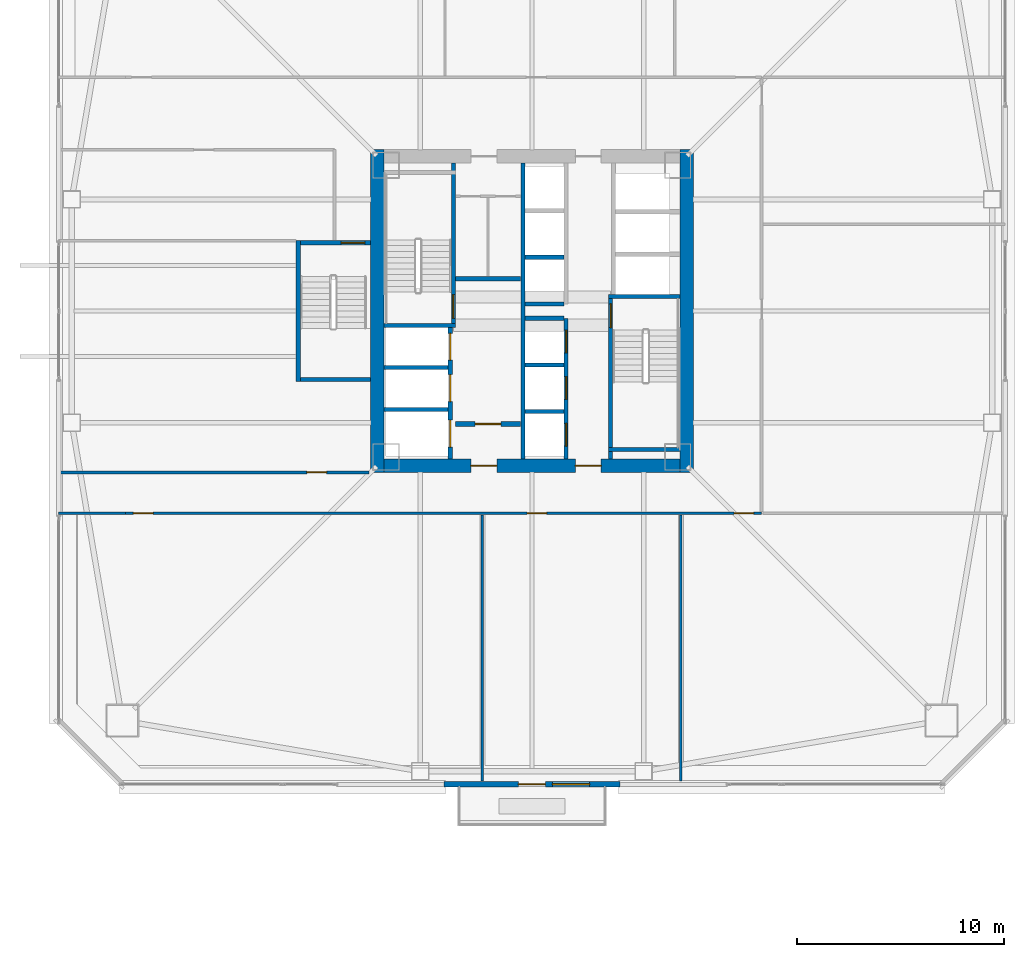
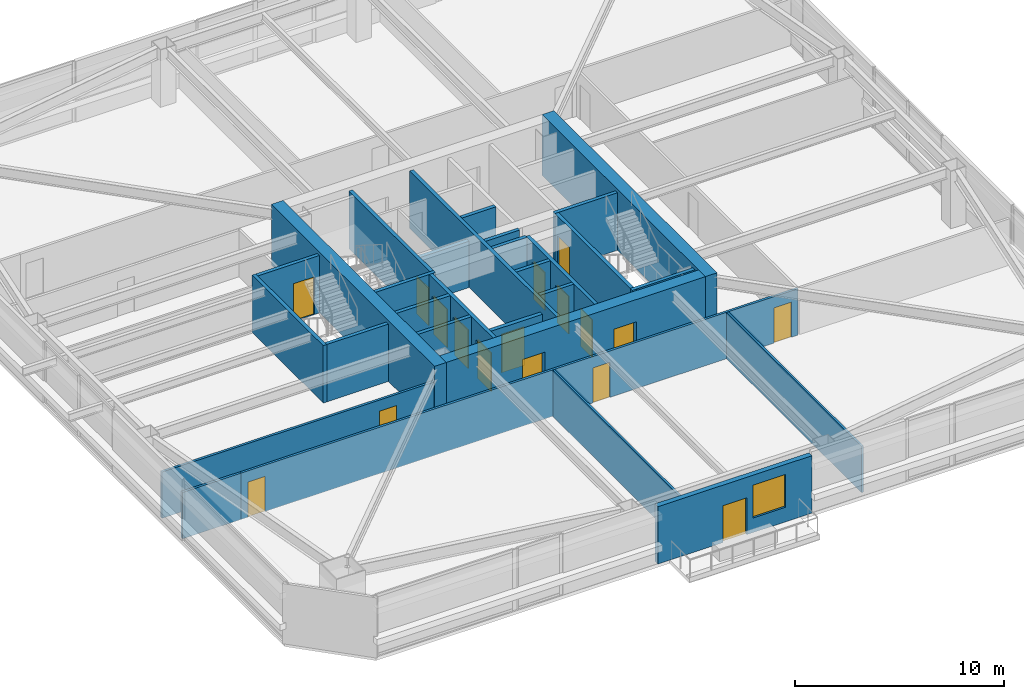
# One storey, part 34 of 46: 29 walls, 17 doors, 1 window, 18 openings.
"""IFC4 building model written with IfcOpenShell, lengths in metres."""

from ifc_helpers import new_model, si_unit, direction, frame, frame_2d, origin, place, context, subcontext, project, spatial, rectangle, extrude, material, layer, layer_set, type_object, element, fill, save


model = new_model("IFC4")

# Units and contexts
model_context = context("Model", 3, precision=1e-05, world=origin(), true_north=direction((0.0, 1.0)))
body_context = subcontext(model_context, "Body", "Model", "MODEL_VIEW")
ifc_project = project(units=[si_unit("LENGTHUNIT", "METRE"), si_unit("AREAUNIT", "SQUARE_METRE"), si_unit("VOLUMEUNIT", "CUBIC_METRE"), si_unit("PLANEANGLEUNIT", "RADIAN"), si_unit("MASSUNIT", "GRAM", prefix="KILO")], contexts=[model_context])

# Site, building, storey
site_placement = place(None, origin())
site = spatial("IfcSite", under=ifc_project, at=site_placement, CompositionType="ELEMENT")
building_placement = place(site_placement, origin())
building = spatial("IfcBuilding", under=site, at=building_placement, Name="Tashvorn Skyway Center", CompositionType="ELEMENT")
storey_placement = place(building_placement, frame((0.0, 0.0, 38.800048828125)))
storey = spatial("IfcBuildingStorey", under=building, at=storey_placement, Name="L09", CompositionType="ELEMENT", Elevation=38.800048828125)

# Walls
ifc_material_1 = material(Name="Concrete C60/75", Category="concrete")
ifc_layer_1 = layer(ifc_material_1, 0.64990234375)
ifc_layer_set_1 = layer_set([ifc_layer_1], Name="Concrete C60/75")
wall_type_1 = type_object("IfcWallType", Name="WALL-CORE-650", PredefinedType="SHEAR", material=ifc_layer_set_1)
for number, where, z_axis, x_axis, name in (
    (1, (34.52490234375, 24.199951171875, 0.0), (0.0, 0.0, 1.0), (0.0, 1.0, 0.0), "Tower 1 L09 West Core Shear Wall"),
    (2, (49.47509765625, 39.800048828125, 0.0), (0.0, 0.0, 1.0), (0.0, -1.0, 0.0), "Tower 1 L09 East Core Shear Wall"),
):
    element("IfcWall", number, at=place(storey_placement, frame(where, z_axis=z_axis, x_axis=x_axis)), inside=storey, type_object=wall_type_1, Name=name, PredefinedType="SHEAR", context=body_context, shape_type="SweptSolid", body=[
        extrude(rectangle(XDim=15.60009765625, YDim=0.64990234375, at=frame_2d((7.800048828125, 0.0))), origin(), (0.0, 0.0, 1.0), 3.550048828125),
    ])

# Wall, openings, doors
wall_1_placement = place(storey_placement, frame((49.14990234375, 24.52490234375, 0.0), z_axis=(0.0, 0.0, 1.0), x_axis=(-1.0, 0.0, 0.0)))
wall_1 = element("IfcWall", 3, at=wall_1_placement, inside=storey, type_object=wall_type_1, Name="Tower 1 L09 South Core Shear Wall", PredefinedType="SHEAR", context=body_context, shape_type="SweptSolid", body=[
    extrude(rectangle(XDim=14.2998046875, YDim=0.64990234375, at=frame_2d((7.14990234375, 0.0))), origin(), (0.0, 0.0, 1.0), 3.550048828125),
])
opening_1_placement = place(wall_1_placement, frame((8.85009765625, 0.0, 0.0)))
opening_1 = element("IfcOpeningElement", 4, at=opening_1_placement, cuts=wall_1, Name="Opening D-FFL-1250", PredefinedType="OPENING", context=body_context, shape_type="SweptSolid", body=[
    extrude(rectangle(XDim=1.25, YDim=2.25, at=frame_2d((0.625, 1.125))), frame((0.0, 0.3349609375, 0.0), z_axis=(0.0, -1.0, 0.0), x_axis=(1.0, 0.0, 0.0)), (0.0, 0.0, 1.0), 0.669921875),
])
opening_2_placement = place(wall_1_placement, frame((3.800048828125, 0.0, 0.0)))
opening_2 = element("IfcOpeningElement", 5, at=opening_2_placement, cuts=wall_1, Name="Opening D-FFL-1250", PredefinedType="OPENING", context=body_context, shape_type="SweptSolid", body=[
    extrude(rectangle(XDim=1.25, YDim=2.25, at=frame_2d((0.625, 1.125))), frame((0.0, 0.3349609375, 0.0), z_axis=(0.0, -1.0, 0.0), x_axis=(1.0, 0.0, 0.0)), (0.0, 0.0, 1.0), 0.669921875),
])
ifc_material_2 = material(Name="Hollow galvanized steel fire door assembly", Category="steel")
door_type_1 = type_object("IfcDoorType", Name="DOOR-FFL-1250", OperationType="NOTDEFINED", PredefinedType="DOOR", material=ifc_material_2)
door_1_placement = place(opening_1_placement, origin())
door_1 = element("IfcDoor", 6, at=door_1_placement, inside=storey, type_object=door_type_1, Name="Tower 1 L09 Core South Firefighting Exit Door", OperationType="SINGLE_SWING_LEFT", OverallHeight=2.25, OverallWidth=1.25, PredefinedType="DOOR", context=body_context, shape_type="SweptSolid", body=[
    extrude(rectangle(XDim=1.25, YDim=2.25, at=frame_2d((0.625, 1.125))), frame((0.0, 0.02490234375, 0.0), z_axis=(0.0, -1.0, 0.0), x_axis=(1.0, 0.0, 0.0)), (0.0, 0.0, 1.0), 0.050048828125),
])
fill(opening_1, door_1)
door_2_placement = place(opening_2_placement, origin())
door_2 = element("IfcDoor", 7, at=door_2_placement, inside=storey, type_object=door_type_1, Name="Tower 1 L09 Core South Lift Lobby Door", OperationType="SINGLE_SWING_RIGHT", OverallHeight=2.25, OverallWidth=1.25, PredefinedType="DOOR", context=body_context, shape_type="SweptSolid", body=[
    extrude(rectangle(XDim=1.25, YDim=2.25, at=frame_2d((0.625, 1.125))), frame((0.0, 0.02490234375, 0.0), z_axis=(0.0, -1.0, 0.0), x_axis=(1.0, 0.0, 0.0)), (0.0, 0.0, 1.0), 0.050048828125),
])
fill(opening_2, door_2)

# Wall, openings, door, window
ifc_material_3 = material(Name="Precast concrete C40/50", Category="concrete")
ifc_layer_2 = layer(ifc_material_3, 0.280029296875)
ifc_layer_set_2 = layer_set([ifc_layer_2], Name="Precast concrete C40/50")
wall_type_2 = type_object("IfcWallType", Name="WALL-EXT-280", PredefinedType="SOLIDWALL", material=ifc_layer_set_2)
wall_2_placement = place(storey_placement, frame((46.25, 9.1201171875, 0.0), z_axis=(0.0, 0.0, 1.0), x_axis=(-1.0, 0.0, 0.0)))
wall_2 = element("IfcWall", 8, at=wall_2_placement, inside=storey, type_object=wall_type_2, Name="Tower 1 L09 South Terrace Portal Wall", PredefinedType="SOLIDWALL", context=body_context, shape_type="SweptSolid", body=[
    extrude(rectangle(XDim=8.5, YDim=0.280029296875, at=frame_2d((4.25, 0.0))), origin(), (0.0, 0.0, 1.0), 3.349853515625),
])
opening_3_placement = place(wall_2_placement, frame((3.60009765625, 0.0, 0.0)))
opening_3 = element("IfcOpeningElement", 9, at=opening_3_placement, cuts=wall_2, Name="Opening D-TER-1300", PredefinedType="OPENING", context=body_context, shape_type="SweptSolid", body=[
    extrude(rectangle(XDim=1.300048828125, YDim=2.14990234375, at=frame_2d((0.64990234375, 1.074951171875))), frame((0.0, 0.14990234375, 0.0), z_axis=(0.0, -1.0, 0.0), x_axis=(1.0, 0.0, 0.0)), (0.0, 0.0, 1.0), 0.300048828125),
])
opening_4_placement = place(wall_2_placement, frame((1.4599609375, 0.0, 0.85009765625)))
opening_4 = element("IfcOpeningElement", 10, at=opening_4_placement, cuts=wall_2, Name="Opening WIN-1800", PredefinedType="OPENING", context=body_context, shape_type="SweptSolid", body=[
    extrude(rectangle(XDim=1.800048828125, YDim=1.919921875, at=frame_2d((0.89990234375, 0.9599609375))), frame((0.0, 0.14990234375, 0.0), z_axis=(0.0, -1.0, 0.0), x_axis=(1.0, 0.0, 0.0)), (0.0, 0.0, 1.0), 0.300048828125),
])
ifc_material_4 = material(Name="Thermally broken bronze-anodized aluminium 6063-T6", Category="aluminium")
door_type_2 = type_object("IfcDoorType", Name="DOOR-TERR-1300", OperationType="NOTDEFINED", PredefinedType="DOOR", material=ifc_material_4)
door_3_placement = place(opening_3_placement, origin())
door_3 = element("IfcDoor", 11, at=door_3_placement, inside=storey, type_object=door_type_2, Name="Tower 1 L09 Terrace Access Door", OperationType="SINGLE_SWING_LEFT", OverallHeight=2.14990234375, OverallWidth=1.300048828125, PredefinedType="DOOR", context=body_context, shape_type="SweptSolid", body=[
    extrude(rectangle(XDim=1.300048828125, YDim=2.14990234375, at=frame_2d((0.64990234375, 1.074951171875))), frame((0.0, 0.02490234375, 0.0), z_axis=(0.0, -1.0, 0.0), x_axis=(1.0, 0.0, 0.0)), (0.0, 0.0, 1.0), 0.050048828125),
])
fill(opening_3, door_3)
ifc_material_5 = material(Name="Low-E solar-control double insulating safety glass", Category="glass")
window_type = type_object("IfcWindowType", Name="WIN-TERR-1800", PartitioningType="SINGLE_PANEL", PredefinedType="WINDOW", material=ifc_material_5)
window_placement = place(opening_4_placement, origin())
window = element("IfcWindow", 12, at=window_placement, inside=storey, type_object=window_type, Name="Tower 1 L09 Terrace Window", OverallHeight=1.919921875, OverallWidth=1.800048828125, PartitioningType="SINGLE_PANEL", PredefinedType="WINDOW", context=body_context, shape_type="SweptSolid", body=[
    extrude(rectangle(XDim=1.800048828125, YDim=1.919921875, at=frame_2d((0.89990234375, 0.9599609375))), frame((0.0, 0.030029296875, 0.0), z_axis=(0.0, -1.0, 0.0), x_axis=(1.0, 0.0, 0.0)), (0.0, 0.0, 1.0), 0.06005859375),
])
fill(opening_4, window)

# Wall
ifc_material_6 = material(Name="Concrete C40/50", Category="concrete")
ifc_layer_3 = layer(ifc_material_6, 0.219970703125)
ifc_layer_set_3 = layer_set([ifc_layer_3], Name="Concrete C40/50")
wall_type_3 = type_object("IfcWallType", Name="WALL-FFL-220", PredefinedType="SOLIDWALL", material=ifc_layer_set_3)
wall_3_placement = place(storey_placement, frame((38.300048828125, 33.56005859375, 0.0), z_axis=(0.0, 0.0, 1.0), x_axis=(1.0, 0.0, 0.0)))
element("IfcWall", 13, at=wall_3_placement, inside=storey, type_object=wall_type_3, Name="Tower 1 L09 Firefighting Lobby North Wall", PredefinedType="SOLIDWALL", context=body_context, shape_type="SweptSolid", body=[
    extrude(rectangle(XDim=3.14990234375, YDim=0.219970703125, at=frame_2d((1.574951171875, 0.0))), origin(), (0.0, 0.0, 1.0), 2.702880859375),
])

# Wall, opening, door
wall_4_placement = place(storey_placement, frame((38.300048828125, 26.5400390625, 0.0), z_axis=(0.0, 0.0, 1.0), x_axis=(1.0, 0.0, 0.0)))
wall_4 = element("IfcWall", 14, at=wall_4_placement, inside=storey, type_object=wall_type_3, Name="Tower 1 L09 Firefighting Lobby South Wall", PredefinedType="SOLIDWALL", context=body_context, shape_type="SweptSolid", body=[
    extrude(rectangle(XDim=3.14990234375, YDim=0.219970703125, at=frame_2d((1.574951171875, 0.0))), origin(), (0.0, 0.0, 1.0), 2.702880859375),
])
opening_5_placement = place(wall_4_placement, frame((0.949951171875, 0.0, 0.0)))
opening_5 = element("IfcOpeningElement", 15, at=opening_5_placement, cuts=wall_4, Name="Opening D-FFL-1250", PredefinedType="OPENING", context=body_context, shape_type="SweptSolid", body=[
    extrude(rectangle(XDim=1.25, YDim=2.25, at=frame_2d((0.625, 1.125))), frame((0.0, 0.119873046875, 0.0), z_axis=(0.0, -1.0, 0.0), x_axis=(1.0, 0.0, 0.0)), (0.0, 0.0, 1.0), 0.239990234375),
])
door_4_placement = place(opening_5_placement, origin())
door_4 = element("IfcDoor", 16, at=door_4_placement, inside=storey, type_object=door_type_1, Name="Tower 1 L09 Firefighting Lobby Egress Door", OperationType="SINGLE_SWING_LEFT", OverallHeight=2.25, OverallWidth=1.25, PredefinedType="DOOR", context=body_context, shape_type="SweptSolid", body=[
    extrude(rectangle(XDim=1.25, YDim=2.25, at=frame_2d((0.625, 1.125))), frame((0.0, 0.02490234375, 0.0), z_axis=(0.0, -1.0, 0.0), x_axis=(1.0, 0.0, 0.0)), (0.0, 0.0, 1.0), 0.050048828125),
])
fill(opening_5, door_4)

# Walls
ifc_material_7 = material(Name="Gypsum board on cold-formed steel stud framing", Category="steel")
ifc_layer_4 = layer(ifc_material_7, 0.110107421875)
ifc_layer_set_4 = layer_set([ifc_layer_4], Name="Gypsum board on cold-formed steel stud framing")
wall_type_4 = type_object("IfcWallType", Name="WALL-PART-110", PredefinedType="PARTITIONING", material=ifc_layer_set_4)
for number, where, z_axis, x_axis, name in (
    (17, (39.60009765625, 9.27001953125, 0.0), (0.0, 0.0, 1.0), (0.0, 1.0, 0.0), "Tower 1 L09 South Suite Partition 1"),
    (18, (49.199951171875, 9.27001953125, 0.0), (0.0, 0.0, 1.0), (0.0, 1.0, 0.0), "Tower 1 L09 South Suite Partition 2"),
):
    element("IfcWall", number, at=place(storey_placement, frame(where, z_axis=z_axis, x_axis=x_axis)), inside=storey, type_object=wall_type_4, Name=name, PredefinedType="PARTITIONING", context=body_context, shape_type="SweptSolid", body=[
        extrude(rectangle(XDim=12.8798828125, YDim=0.110107421875, at=frame_2d((6.43994140625, 0.0))), origin(), (0.0, 0.0, 1.0), 2.702880859375),
    ])

# Wall, openings, doors
ifc_layer_5 = layer(ifc_material_7, 0.135009765625)
ifc_layer_set_5 = layer_set([ifc_layer_5], Name="Gypsum board on cold-formed steel stud framing")
wall_type_5 = type_object("IfcWallType", Name="WALL-PART-135", PredefinedType="PARTITIONING", material=ifc_layer_set_5)
wall_5_placement = place(storey_placement, frame((53.10009765625, 22.22998046875, 0.0), z_axis=(0.0, 0.0, 1.0), x_axis=(-1.0, 0.0, 0.0)))
wall_5 = element("IfcWall", 19, at=wall_5_placement, inside=storey, type_object=wall_type_5, Name="Tower 1 L09 South Suite Wall", PredefinedType="PARTITIONING", context=body_context, shape_type="SweptSolid", body=[
    extrude(rectangle(XDim=30.75, YDim=0.135009765625, at=frame_2d((15.375, 0.0))), origin(), (0.0, 0.0, 1.0), 2.702880859375),
])
opening_6_placement = place(wall_5_placement, frame((29.419921875, 0.0, 0.0)))
opening_6 = element("IfcOpeningElement", 20, at=opening_6_placement, cuts=wall_5, Name="Opening D-INT-950", PredefinedType="OPENING", context=body_context, shape_type="SweptSolid", body=[
    extrude(rectangle(XDim=0.949951171875, YDim=2.050048828125, at=frame_2d((0.47509765625, 1.02490234375))), frame((0.0, 0.077392578125, 0.0), z_axis=(0.0, -1.0, 0.0), x_axis=(1.0, 0.0, 0.0)), (0.0, 0.0, 1.0), 0.155029296875),
])
opening_7_placement = place(wall_5_placement, frame((10.388427734375, 0.0, 0.0)))
opening_7 = element("IfcOpeningElement", 21, at=opening_7_placement, cuts=wall_5, Name="Opening D-INT-950", PredefinedType="OPENING", context=body_context, shape_type="SweptSolid", body=[
    extrude(rectangle(XDim=0.949951171875, YDim=2.050048828125, at=frame_2d((0.47509765625, 1.02490234375))), frame((0.0, 0.077392578125, 0.0), z_axis=(0.0, -1.0, 0.0), x_axis=(1.0, 0.0, 0.0)), (0.0, 0.0, 1.0), 0.155029296875),
])
opening_8_placement = place(wall_5_placement, frame((0.3798828125, 0.0, 0.0)))
opening_8 = element("IfcOpeningElement", 22, at=opening_8_placement, cuts=wall_5, Name="Opening D-INT-950", PredefinedType="OPENING", context=body_context, shape_type="SweptSolid", body=[
    extrude(rectangle(XDim=0.949951171875, YDim=2.050048828125, at=frame_2d((0.47509765625, 1.02490234375))), frame((0.0, 0.077392578125, 0.0), z_axis=(0.0, -1.0, 0.0), x_axis=(1.0, 0.0, 0.0)), (0.0, 0.0, 1.0), 0.155029296875),
])
ifc_material_8 = material(Name="Solid-core architectural oak veneer door")
door_type_3 = type_object("IfcDoorType", Name="DOOR-INT-950", OperationType="NOTDEFINED", PredefinedType="DOOR", material=ifc_material_8)
door_5_placement = place(opening_6_placement, origin())
door_5 = element("IfcDoor", 23, at=door_5_placement, inside=storey, type_object=door_type_3, Name="Tower 1 L09 Operations Control Room Door", OperationType="SINGLE_SWING_LEFT", OverallHeight=2.050048828125, OverallWidth=0.949951171875, PredefinedType="DOOR", context=body_context, shape_type="SweptSolid", body=[
    extrude(rectangle(XDim=0.949951171875, YDim=2.050048828125, at=frame_2d((0.47509765625, 1.02490234375))), frame((0.0, 0.02490234375, 0.0), z_axis=(0.0, -1.0, 0.0), x_axis=(1.0, 0.0, 0.0)), (0.0, 0.0, 1.0), 0.050048828125),
])
fill(opening_6, door_5)
door_6_placement = place(opening_7_placement, origin())
door_6 = element("IfcDoor", 24, at=door_6_placement, inside=storey, type_object=door_type_3, Name="Tower 1 L09 Security Control Room Door", OperationType="SINGLE_SWING_RIGHT", OverallHeight=2.050048828125, OverallWidth=0.949951171875, PredefinedType="DOOR", context=body_context, shape_type="SweptSolid", body=[
    extrude(rectangle(XDim=0.949951171875, YDim=2.050048828125, at=frame_2d((0.47509765625, 1.02490234375))), frame((0.0, 0.02490234375, 0.0), z_axis=(0.0, -1.0, 0.0), x_axis=(1.0, 0.0, 0.0)), (0.0, 0.0, 1.0), 0.050048828125),
])
fill(opening_7, door_6)
door_7_placement = place(opening_8_placement, origin())
door_7 = element("IfcDoor", 25, at=door_7_placement, inside=storey, type_object=door_type_3, Name="Tower 1 L09 Security Control Room Door", OperationType="SINGLE_SWING_LEFT", OverallHeight=2.050048828125, OverallWidth=0.949951171875, PredefinedType="DOOR", context=body_context, shape_type="SweptSolid", body=[
    extrude(rectangle(XDim=0.949951171875, YDim=2.050048828125, at=frame_2d((0.47509765625, 1.02490234375))), frame((0.0, 0.02490234375, 0.0), z_axis=(0.0, -1.0, 0.0), x_axis=(1.0, 0.0, 0.0)), (0.0, 0.0, 1.0), 0.050048828125),
])
fill(opening_8, door_7)

# Wall
wall_6_placement = place(storey_placement, frame((19.1201171875, 22.22998046875, 0.0), z_axis=(0.0, 0.0, 1.0), x_axis=(1.0, 0.0, 0.0)))
element("IfcWall", 26, at=wall_6_placement, inside=storey, type_object=wall_type_5, Name="Tower 1 L09 South-West Suite North Wall", PredefinedType="PARTITIONING", context=body_context, shape_type="SweptSolid", body=[
    extrude(rectangle(XDim=3.22998046875, YDim=0.135009765625, at=frame_2d((1.614990234375, 0.0))), origin(), (0.0, 0.0, 1.0), 2.702880859375),
])

# Wall, opening, door
wall_7_placement = place(storey_placement, frame((19.1201171875, 24.199951171875, 0.0), z_axis=(0.0, 0.0, 1.0), x_axis=(1.0, 0.0, 0.0)))
wall_7 = element("IfcWall", 27, at=wall_7_placement, inside=storey, type_object=wall_type_5, Name="Tower 1 L09 West Suite South Wall", PredefinedType="PARTITIONING", context=body_context, shape_type="SweptSolid", body=[
    extrude(rectangle(XDim=15.0, YDim=0.135009765625, at=frame_2d((7.5, 0.0))), origin(), (0.0, 0.0, 1.0), 2.702880859375),
])
opening_9_placement = place(wall_7_placement, frame((12.0048828125, 0.0, 0.0)))
opening_9 = element("IfcOpeningElement", 28, at=opening_9_placement, cuts=wall_7, Name="Opening D-INT-950", PredefinedType="OPENING", context=body_context, shape_type="SweptSolid", body=[
    extrude(rectangle(XDim=0.949951171875, YDim=2.050048828125, at=frame_2d((0.47509765625, 1.02490234375))), frame((0.0, 0.077392578125, 0.0), z_axis=(0.0, -1.0, 0.0), x_axis=(1.0, 0.0, 0.0)), (0.0, 0.0, 1.0), 0.155029296875),
])
door_8_placement = place(opening_9_placement, origin())
door_8 = element("IfcDoor", 29, at=door_8_placement, inside=storey, type_object=door_type_3, Name="Tower 1 L09 Public Restroom Door", OperationType="SINGLE_SWING_LEFT", OverallHeight=2.050048828125, OverallWidth=0.949951171875, PredefinedType="DOOR", context=body_context, shape_type="SweptSolid", body=[
    extrude(rectangle(XDim=0.949951171875, YDim=2.050048828125, at=frame_2d((0.47509765625, 1.02490234375))), frame((0.0, 0.02490234375, 0.0), z_axis=(0.0, -1.0, 0.0), x_axis=(1.0, 0.0, 0.0)), (0.0, 0.0, 1.0), 0.050048828125),
])
fill(opening_9, door_8)

# Walls
ifc_layer_6 = layer(ifc_material_6, 0.199951171875)
ifc_layer_set_6 = layer_set([ifc_layer_6], Name="Concrete C40/50")
wall_type_6 = type_object("IfcWallType", Name="WALL-SHAFT-200", PredefinedType="SOLIDWALL", material=ifc_layer_set_6)
for number, where, z_axis, x_axis, name in (
    (30, (34.85009765625, 27.25, 0.0), (0.0, 0.0, 1.0), (1.0, 0.0, 0.0), "Tower 1 L09 FSAE Shaft Divider"),
    (31, (34.85009765625, 29.280029296875, 0.0), (0.0, 0.0, 1.0), (1.0, 0.0, 0.0), "Tower 1 L09 FSAE Shaft Divider"),
):
    element("IfcWall", number, at=place(storey_placement, frame(where, z_axis=z_axis, x_axis=x_axis)), inside=storey, type_object=wall_type_6, Name=name, PredefinedType="SOLIDWALL", context=body_context, shape_type="SweptSolid", body=[
        extrude(rectangle(XDim=3.099853515625, YDim=0.199951171875, at=frame_2d((1.5498046875, 0.0))), origin(), (0.0, 0.0, 1.0), 3.349853515625),
    ])

# Wall, openings, doors
wall_8_placement = place(storey_placement, frame((43.64990234375, 24.85009765625, 0.0), z_axis=(0.0, 0.0, 1.0), x_axis=(0.0, 1.0, 0.0)))
wall_8 = element("IfcWall", 32, at=wall_8_placement, inside=storey, type_object=wall_type_6, Name="Tower 1 L09 Low-Rise Core Wall", PredefinedType="SOLIDWALL", context=body_context, shape_type="SweptSolid", body=[
    extrude(rectangle(XDim=6.7998046875, YDim=0.199951171875, at=frame_2d((3.39990234375, 0.0))), origin(), (0.0, 0.0, 1.0), 3.349853515625),
])
opening_10_placement = place(wall_8_placement, frame((0.625, 0.0, 0.0)))
opening_10 = element("IfcOpeningElement", 33, at=opening_10_placement, cuts=wall_8, Name="Opening LD-LR-T1-1-L09", PredefinedType="OPENING", context=body_context, shape_type="SweptSolid", body=[
    extrude(rectangle(XDim=1.10009765625, YDim=2.199951171875, at=frame_2d((0.550048828125, 1.10009765625))), frame((0.0, 0.10986328125, 0.0), z_axis=(0.0, -1.0, 0.0), x_axis=(1.0, 0.0, 0.0)), (0.0, 0.0, 1.0), 0.219970703125),
])
opening_11_placement = place(wall_8_placement, frame((2.875, 0.0, 0.0)))
opening_11 = element("IfcOpeningElement", 34, at=opening_11_placement, cuts=wall_8, Name="Opening LD-LR-T1-2-L09", PredefinedType="OPENING", context=body_context, shape_type="SweptSolid", body=[
    extrude(rectangle(XDim=1.10009765625, YDim=2.199951171875, at=frame_2d((0.550048828125, 1.10009765625))), frame((0.0, 0.10986328125, 0.0), z_axis=(0.0, -1.0, 0.0), x_axis=(1.0, 0.0, 0.0)), (0.0, 0.0, 1.0), 0.219970703125),
])
opening_12_placement = place(wall_8_placement, frame((5.125, 0.0, 0.0)))
opening_12 = element("IfcOpeningElement", 35, at=opening_12_placement, cuts=wall_8, Name="Opening LD-LR-T1-3-L09", PredefinedType="OPENING", context=body_context, shape_type="SweptSolid", body=[
    extrude(rectangle(XDim=1.10009765625, YDim=2.199951171875, at=frame_2d((0.550048828125, 1.10009765625))), frame((0.0, 0.10986328125, 0.0), z_axis=(0.0, -1.0, 0.0), x_axis=(1.0, 0.0, 0.0)), (0.0, 0.0, 1.0), 0.219970703125),
])
ifc_material_9 = material(Name="Stainless steel landing door", Category="steel")
door_type_4 = type_object("IfcDoorType", Name="DOOR-LIFT-1100", OperationType="SLIDING_TO_LEFT", PredefinedType="DOOR", material=ifc_material_9)
door_9_placement = place(opening_10_placement, origin())
door_9 = element("IfcDoor", 36, at=door_9_placement, inside=storey, type_object=door_type_4, Name="Lift LR-T1-1 L09 Landing Door", OperationType="SLIDING_TO_LEFT", OverallHeight=2.199951171875, OverallWidth=1.10009765625, PredefinedType="DOOR", context=body_context, shape_type="SweptSolid", body=[
    extrude(rectangle(XDim=1.10009765625, YDim=2.199951171875, at=frame_2d((0.550048828125, 1.10009765625))), frame((0.0, 0.02490234375, 0.0), z_axis=(0.0, -1.0, 0.0), x_axis=(1.0, 0.0, 0.0)), (0.0, 0.0, 1.0), 0.050048828125),
])
fill(opening_10, door_9)
door_10_placement = place(opening_11_placement, origin())
door_10 = element("IfcDoor", 37, at=door_10_placement, inside=storey, type_object=door_type_4, Name="Lift LR-T1-2 L09 Landing Door", OperationType="SLIDING_TO_LEFT", OverallHeight=2.199951171875, OverallWidth=1.10009765625, PredefinedType="DOOR", context=body_context, shape_type="SweptSolid", body=[
    extrude(rectangle(XDim=1.10009765625, YDim=2.199951171875, at=frame_2d((0.550048828125, 1.10009765625))), frame((0.0, 0.02490234375, 0.0), z_axis=(0.0, -1.0, 0.0), x_axis=(1.0, 0.0, 0.0)), (0.0, 0.0, 1.0), 0.050048828125),
])
fill(opening_11, door_10)
door_11_placement = place(opening_12_placement, origin())
door_11 = element("IfcDoor", 38, at=door_11_placement, inside=storey, type_object=door_type_4, Name="Lift LR-T1-3 L09 Landing Door", OperationType="SLIDING_TO_LEFT", OverallHeight=2.199951171875, OverallWidth=1.10009765625, PredefinedType="DOOR", context=body_context, shape_type="SweptSolid", body=[
    extrude(rectangle(XDim=1.10009765625, YDim=2.199951171875, at=frame_2d((0.550048828125, 1.10009765625))), frame((0.0, 0.02490234375, 0.0), z_axis=(0.0, -1.0, 0.0), x_axis=(1.0, 0.0, 0.0)), (0.0, 0.0, 1.0), 0.050048828125),
])
fill(opening_12, door_11)

# Walls
for number, where, z_axis, x_axis, name in (
    (39, (41.669921875, 27.14990234375, 0.0), (0.0, 0.0, 1.0), (1.0, 0.0, 0.0), "Tower 1 L09 Low-Rise Shaft Divider"),
    (40, (41.669921875, 29.39990234375, 0.0), (0.0, 0.0, 1.0), (1.0, 0.0, 0.0), "Tower 1 L09 Low-Rise Shaft Divider"),
    (41, (41.669921875, 31.64990234375, 0.0), (0.0, 0.0, 1.0), (1.0, 0.0, 0.0), "Tower 1 L09 Low-Rise Shaft Divider"),
    (42, (41.669921875, 32.35009765625, 0.0), (0.0, 0.0, 1.0), (1.0, 0.0, 0.0), "Tower 1 L09 Mid-Rise Shaft Divider"),
    (43, (41.669921875, 34.60009765625, 0.0), (0.0, 0.0, 1.0), (1.0, 0.0, 0.0), "Tower 1 L09 Mid-Rise Shaft Divider"),
):
    element("IfcWall", number, at=place(storey_placement, frame(where, z_axis=z_axis, x_axis=x_axis)), inside=storey, type_object=wall_type_6, Name=name, PredefinedType="SOLIDWALL", context=body_context, shape_type="SweptSolid", body=[
        extrude(rectangle(XDim=1.880126953125, YDim=0.199951171875, at=frame_2d((0.93994140625, 0.0))), origin(), (0.0, 0.0, 1.0), 3.349853515625),
    ])

# Wall, opening, door
ifc_layer_7 = layer(ifc_material_6, 0.199951171875)
ifc_layer_set_7 = layer_set([ifc_layer_7], Name="Concrete C40/50")
wall_type_7 = type_object("IfcWallType", Name="WALL-STSHF-200", PredefinedType="SHEAR", material=ifc_layer_set_7)
wall_9_placement = place(storey_placement, frame((38.199951171875, 31.199951171875, 0.0), z_axis=(0.0, 0.0, 1.0), x_axis=(0.0, 1.0, 0.0)))
wall_9 = element("IfcWall", 44, at=wall_9_placement, inside=storey, type_object=wall_type_7, Name="Tower 1 L09 Stair 1 Enclosure Wall", PredefinedType="SHEAR", context=body_context, shape_type="SweptSolid", body=[
    extrude(rectangle(XDim=7.949951171875, YDim=0.199951171875, at=frame_2d((3.97509765625, 0.0))), origin(), (0.0, 0.0, 1.0), 3.349853515625),
])
opening_13_placement = place(wall_9_placement, frame((0.449951171875, 0.0, 0.0)))
opening_13 = element("IfcOpeningElement", 45, at=opening_13_placement, cuts=wall_9, Name="Opening D-ST-1150", PredefinedType="OPENING", context=body_context, shape_type="SweptSolid", body=[
    extrude(rectangle(XDim=1.14990234375, YDim=2.199951171875, at=frame_2d((0.574951171875, 1.10009765625))), frame((0.0, 0.10986328125, 0.0), z_axis=(0.0, -1.0, 0.0), x_axis=(1.0, 0.0, 0.0)), (0.0, 0.0, 1.0), 0.219970703125),
])
door_type_5 = type_object("IfcDoorType", Name="DOOR-STAIR-1150", OperationType="NOTDEFINED", PredefinedType="DOOR", material=ifc_material_2)
door_12_placement = place(opening_13_placement, origin())
door_12 = element("IfcDoor", 46, at=door_12_placement, inside=storey, type_object=door_type_5, Name="Tower 1 L09 Exit Stair 1 Door", OperationType="SINGLE_SWING_RIGHT", OverallHeight=2.199951171875, OverallWidth=1.14990234375, PredefinedType="DOOR", context=body_context, shape_type="SweptSolid", body=[
    extrude(rectangle(XDim=1.14990234375, YDim=2.199951171875, at=frame_2d((0.574951171875, 1.10009765625))), frame((0.0, 0.02490234375, 0.0), z_axis=(0.0, -1.0, 0.0), x_axis=(1.0, 0.0, 0.0)), (0.0, 0.0, 1.0), 0.050048828125),
])
fill(opening_13, door_12)

# Wall
wall_10_placement = place(storey_placement, frame((34.85009765625, 31.300048828125, 0.0), z_axis=(0.0, 0.0, 1.0), x_axis=(1.0, 0.0, 0.0)))
element("IfcWall", 47, at=wall_10_placement, inside=storey, type_object=wall_type_7, Name="Tower 1 L09 Stair 1 South Wall", PredefinedType="SHEAR", context=body_context, shape_type="SweptSolid", body=[
    extrude(rectangle(XDim=3.449951171875, YDim=0.199951171875, at=frame_2d((1.72509765625, 0.0))), origin(), (0.0, 0.0, 1.0), 3.349853515625),
])

# Wall, opening, door
wall_11_placement = place(storey_placement, frame((45.800048828125, 32.800048828125, 0.0), z_axis=(0.0, 0.0, 1.0), x_axis=(0.0, -1.0, 0.0)))
wall_11 = element("IfcWall", 48, at=wall_11_placement, inside=storey, type_object=wall_type_7, Name="Tower 1 L09 Stair 2 Enclosure Wall", PredefinedType="SHEAR", context=body_context, shape_type="SweptSolid", body=[
    extrude(rectangle(XDim=7.949951171875, YDim=0.199951171875, at=frame_2d((3.97509765625, 0.0))), origin(), (0.0, 0.0, 1.0), 3.349853515625),
])
opening_14_placement = place(wall_11_placement, frame((0.449951171875, 0.0, 0.0)))
opening_14 = element("IfcOpeningElement", 49, at=opening_14_placement, cuts=wall_11, Name="Opening D-ST-1150", PredefinedType="OPENING", context=body_context, shape_type="SweptSolid", body=[
    extrude(rectangle(XDim=1.14990234375, YDim=2.199951171875, at=frame_2d((0.574951171875, 1.10009765625))), frame((0.0, 0.10986328125, 0.0), z_axis=(0.0, -1.0, 0.0), x_axis=(1.0, 0.0, 0.0)), (0.0, 0.0, 1.0), 0.219970703125),
])
door_13_placement = place(opening_14_placement, origin())
door_13 = element("IfcDoor", 50, at=door_13_placement, inside=storey, type_object=door_type_5, Name="Tower 1 L09 Exit Stair 2 Door", OperationType="SINGLE_SWING_RIGHT", OverallHeight=2.199951171875, OverallWidth=1.14990234375, PredefinedType="DOOR", context=body_context, shape_type="SweptSolid", body=[
    extrude(rectangle(XDim=1.14990234375, YDim=2.199951171875, at=frame_2d((0.574951171875, 1.10009765625))), frame((0.0, 0.02490234375, 0.0), z_axis=(0.0, -1.0, 0.0), x_axis=(1.0, 0.0, 0.0)), (0.0, 0.0, 1.0), 0.050048828125),
])
fill(opening_14, door_13)

# Walls
for number, where, z_axis, x_axis, name in (
    (51, (45.699951171875, 32.699951171875, 0.0), (0.0, 0.0, 1.0), (1.0, 0.0, 0.0), "Tower 1 L09 Stair 2 North Wall"),
    (52, (45.699951171875, 25.300048828125, 0.0), (0.0, 0.0, 1.0), (1.0, 0.0, 0.0), "Tower 1 L09 Stair 2 South Wall"),
):
    element("IfcWall", number, at=place(storey_placement, frame(where, z_axis=z_axis, x_axis=x_axis)), inside=storey, type_object=wall_type_7, Name=name, PredefinedType="SHEAR", context=body_context, shape_type="SweptSolid", body=[
        extrude(rectangle(XDim=3.449951171875, YDim=0.199951171875, at=frame_2d((1.72509765625, 0.0))), origin(), (0.0, 0.0, 1.0), 3.349853515625),
    ])
wall_12_placement = place(storey_placement, frame((41.56005859375, 24.85009765625, 0.0), z_axis=(0.0, 0.0, 1.0), x_axis=(0.0, 1.0, 0.0)))
element("IfcWall", 53, at=wall_12_placement, inside=storey, type_object=wall_type_7, Name="Tower 1 L09 Firefighting Lobby East Smoke Barrier", PredefinedType="SHEAR", context=body_context, shape_type="SweptSolid", body=[
    extrude(rectangle(XDim=14.2998046875, YDim=0.199951171875, at=frame_2d((7.14990234375, 0.0))), origin(), (0.0, 0.0, 1.0), 3.349853515625),
])

# Wall, openings, doors
wall_13_placement = place(storey_placement, frame((38.050048828125, 24.85009765625, 0.0), z_axis=(0.0, 0.0, 1.0), x_axis=(0.0, 1.0, 0.0)))
wall_13 = element("IfcWall", 54, at=wall_13_placement, inside=storey, type_object=wall_type_7, Name="Tower 1 L09 FSAE and Goods Shaft Front Wall", PredefinedType="SHEAR", context=body_context, shape_type="SweptSolid", body=[
    extrude(rectangle(XDim=6.349853515625, YDim=0.199951171875, at=frame_2d((3.1748046875, 0.0))), origin(), (0.0, 0.0, 1.0), 3.349853515625),
])
opening_15_placement = place(wall_13_placement, frame((4.77490234375, 0.0, 0.0)))
opening_15 = element("IfcOpeningElement", 55, at=opening_15_placement, cuts=wall_13, Name="Opening LD-FF-T1-1-L09", PredefinedType="OPENING", context=body_context, shape_type="SweptSolid", body=[
    extrude(rectangle(XDim=1.300048828125, YDim=2.25, at=frame_2d((0.64990234375, 1.125))), frame((0.0, 0.10986328125, 0.0), z_axis=(0.0, -1.0, 0.0), x_axis=(1.0, 0.0, 0.0)), (0.0, 0.0, 1.0), 0.219970703125),
])
opening_16_placement = place(wall_13_placement, frame((2.77490234375, 0.0, 0.0)))
opening_16 = element("IfcOpeningElement", 56, at=opening_16_placement, cuts=wall_13, Name="Opening LD-FF-T1-2-L09", PredefinedType="OPENING", context=body_context, shape_type="SweptSolid", body=[
    extrude(rectangle(XDim=1.300048828125, YDim=2.25, at=frame_2d((0.64990234375, 1.125))), frame((0.0, 0.10986328125, 0.0), z_axis=(0.0, -1.0, 0.0), x_axis=(1.0, 0.0, 0.0)), (0.0, 0.0, 1.0), 0.219970703125),
])
opening_17_placement = place(wall_13_placement, frame((0.574951171875, 0.0, 0.0)))
opening_17 = element("IfcOpeningElement", 57, at=opening_17_placement, cuts=wall_13, Name="Opening LD-GD-T1-1-L09", PredefinedType="OPENING", context=body_context, shape_type="SweptSolid", body=[
    extrude(rectangle(XDim=1.300048828125, YDim=2.25, at=frame_2d((0.64990234375, 1.125))), frame((0.0, 0.10986328125, 0.0), z_axis=(0.0, -1.0, 0.0), x_axis=(1.0, 0.0, 0.0)), (0.0, 0.0, 1.0), 0.219970703125),
])
ifc_material_10 = material(Name="Stainless steel heavy-duty landing door", Category="steel")
door_type_6 = type_object("IfcDoorType", Name="DOOR-LIFT-1300", OperationType="SLIDING_TO_LEFT", PredefinedType="DOOR", material=ifc_material_10)
door_14_placement = place(opening_15_placement, origin())
door_14 = element("IfcDoor", 58, at=door_14_placement, inside=storey, type_object=door_type_6, Name="Lift FF-T1-1 L09 Landing Door", OperationType="SLIDING_TO_LEFT", OverallHeight=2.25, OverallWidth=1.300048828125, PredefinedType="DOOR", context=body_context, shape_type="SweptSolid", body=[
    extrude(rectangle(XDim=1.300048828125, YDim=2.25, at=frame_2d((0.64990234375, 1.125))), frame((0.0, 0.02490234375, 0.0), z_axis=(0.0, -1.0, 0.0), x_axis=(1.0, 0.0, 0.0)), (0.0, 0.0, 1.0), 0.050048828125),
])
fill(opening_15, door_14)
door_15_placement = place(opening_16_placement, origin())
door_15 = element("IfcDoor", 59, at=door_15_placement, inside=storey, type_object=door_type_6, Name="Lift FF-T1-2 L09 Landing Door", OperationType="SLIDING_TO_LEFT", OverallHeight=2.25, OverallWidth=1.300048828125, PredefinedType="DOOR", context=body_context, shape_type="SweptSolid", body=[
    extrude(rectangle(XDim=1.300048828125, YDim=2.25, at=frame_2d((0.64990234375, 1.125))), frame((0.0, 0.02490234375, 0.0), z_axis=(0.0, -1.0, 0.0), x_axis=(1.0, 0.0, 0.0)), (0.0, 0.0, 1.0), 0.050048828125),
])
fill(opening_16, door_15)
door_16_placement = place(opening_17_placement, origin())
door_16 = element("IfcDoor", 60, at=door_16_placement, inside=storey, type_object=door_type_6, Name="Lift GD-T1-1 L09 Landing Door", OperationType="SLIDING_TO_LEFT", OverallHeight=2.25, OverallWidth=1.300048828125, PredefinedType="DOOR", context=body_context, shape_type="SweptSolid", body=[
    extrude(rectangle(XDim=1.300048828125, YDim=2.25, at=frame_2d((0.64990234375, 1.125))), frame((0.0, 0.02490234375, 0.0), z_axis=(0.0, -1.0, 0.0), x_axis=(1.0, 0.0, 0.0)), (0.0, 0.0, 1.0), 0.050048828125),
])
fill(opening_17, door_16)

# Wall
wall_14_placement = place(storey_placement, frame((30.699951171875, 28.60009765625, 0.0), z_axis=(0.0, 0.0, 1.0), x_axis=(0.0, 1.0, 0.0)))
element("IfcWall", 61, at=wall_14_placement, inside=storey, type_object=wall_type_7, Name="Tower 1 L09 Stair 3 Outer Wall", PredefinedType="SHEAR", context=body_context, shape_type="SweptSolid", body=[
    extrude(rectangle(XDim=6.7998046875, YDim=0.199951171875, at=frame_2d((3.39990234375, 0.0))), origin(), (0.0, 0.0, 1.0), 3.349853515625),
])

# Wall, opening, door
wall_15_placement = place(storey_placement, frame((34.199951171875, 35.300048828125, 0.0), z_axis=(0.0, 0.0, 1.0), x_axis=(-1.0, 0.0, 0.0)))
wall_15 = element("IfcWall", 62, at=wall_15_placement, inside=storey, type_object=wall_type_7, Name="Tower 1 L09 Stair 3 Enclosure Wall", PredefinedType="SHEAR", context=body_context, shape_type="SweptSolid", body=[
    extrude(rectangle(XDim=3.39990234375, YDim=0.199951171875, at=frame_2d((1.699951171875, 0.0))), origin(), (0.0, 0.0, 1.0), 3.349853515625),
])
opening_18_placement = place(wall_15_placement, frame((0.27490234375, 0.0, 0.0)))
opening_18 = element("IfcOpeningElement", 63, at=opening_18_placement, cuts=wall_15, Name="Opening D-ST-1150", PredefinedType="OPENING", context=body_context, shape_type="SweptSolid", body=[
    extrude(rectangle(XDim=1.14990234375, YDim=2.199951171875, at=frame_2d((0.574951171875, 1.10009765625))), frame((0.0, 0.10986328125, 0.0), z_axis=(0.0, -1.0, 0.0), x_axis=(1.0, 0.0, 0.0)), (0.0, 0.0, 1.0), 0.219970703125),
])
door_17_placement = place(opening_18_placement, origin())
door_17 = element("IfcDoor", 64, at=door_17_placement, inside=storey, type_object=door_type_5, Name="Tower 1 L09 Exit Stair 3 Door", OperationType="SINGLE_SWING_RIGHT", OverallHeight=2.199951171875, OverallWidth=1.14990234375, PredefinedType="DOOR", context=body_context, shape_type="SweptSolid", body=[
    extrude(rectangle(XDim=1.14990234375, YDim=2.199951171875, at=frame_2d((0.574951171875, 1.10009765625))), frame((0.0, 0.02490234375, 0.0), z_axis=(0.0, -1.0, 0.0), x_axis=(1.0, 0.0, 0.0)), (0.0, 0.0, 1.0), 0.050048828125),
])
fill(opening_18, door_17)

# Wall
wall_16_placement = place(storey_placement, frame((30.800048828125, 28.699951171875, 0.0), z_axis=(0.0, 0.0, 1.0), x_axis=(1.0, 0.0, 0.0)))
element("IfcWall", 65, at=wall_16_placement, inside=storey, type_object=wall_type_7, Name="Tower 1 L09 Stair 3 South Wall", PredefinedType="SHEAR", context=body_context, shape_type="SweptSolid", body=[
    extrude(rectangle(XDim=3.39990234375, YDim=0.199951171875, at=frame_2d((1.699951171875, 0.0))), origin(), (0.0, 0.0, 1.0), 3.349853515625),
])

save(model, "model.ifc")
